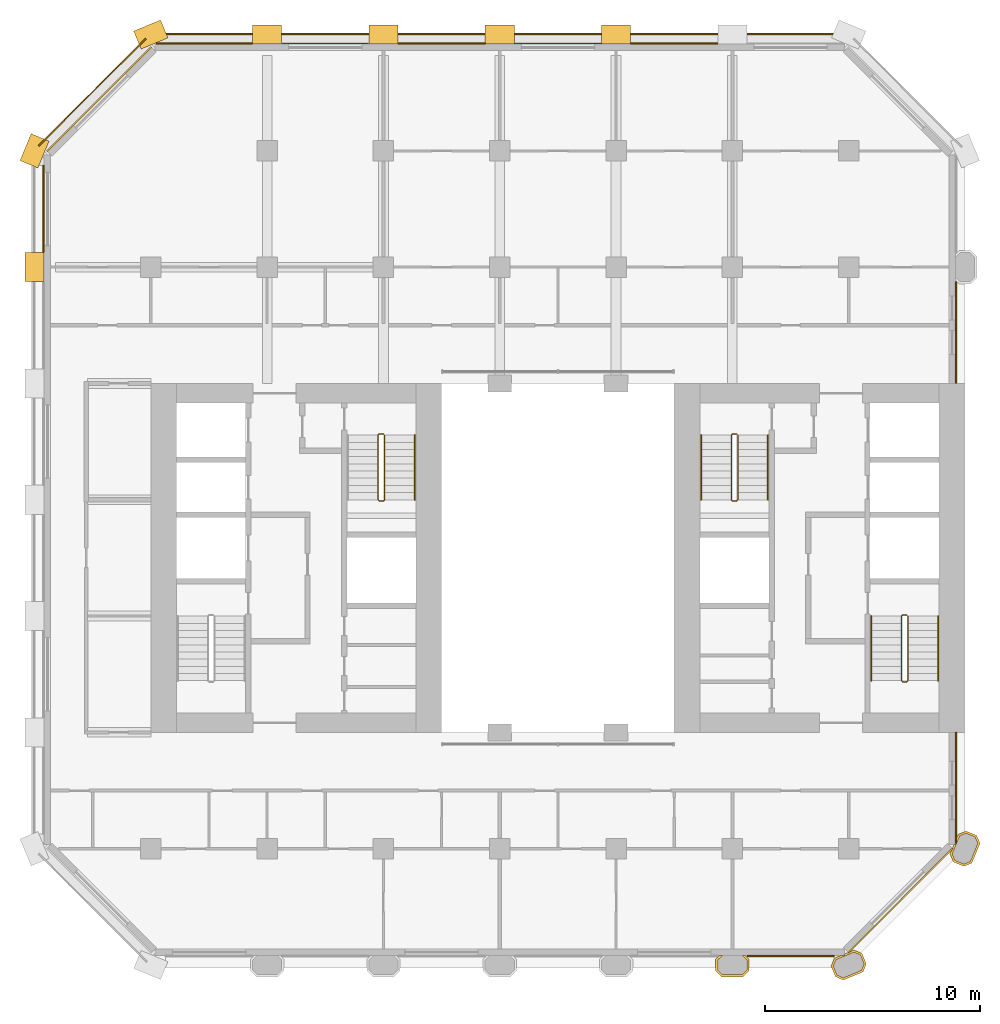
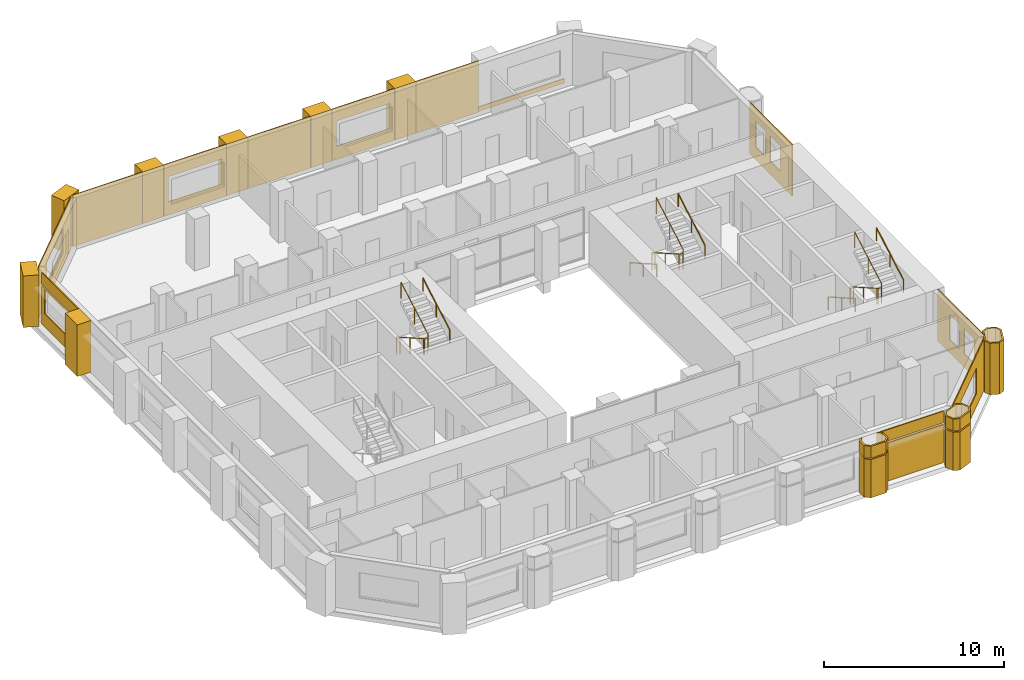
# One storey, part 12 of 13: 27 coverings, 8 railings.
"""IFC4 building model written with IfcOpenShell, lengths in metres."""

from ifc_helpers import new_model, si_unit, direction, frame, frame_2d, origin, origin_2d, place, context, subcontext, project, spatial, polyline, rectangle, circle, outline, extrude, material, layer, layer_set, type_object, element, save


model = new_model("IFC4")

# Units and contexts
model_context = context("Model", 3, precision=1e-05, world=origin(), true_north=direction((0.0, 1.0)))
body_context = subcontext(model_context, "Body", "Model", "MODEL_VIEW")
ifc_project = project(units=[si_unit("LENGTHUNIT", "METRE"), si_unit("AREAUNIT", "SQUARE_METRE"), si_unit("VOLUMEUNIT", "CUBIC_METRE"), si_unit("PLANEANGLEUNIT", "RADIAN"), si_unit("MASSUNIT", "GRAM", prefix="KILO")], contexts=[model_context])

# Site, building, storey
site_placement = place(None, origin())
site = spatial("IfcSite", under=ifc_project, at=site_placement, CompositionType="ELEMENT")
building_placement = place(site_placement, origin())
building = spatial("IfcBuilding", under=site, at=building_placement, Name="Tabaq Tower and Sports Hall", CompositionType="ELEMENT")
storey_placement = place(building_placement, frame((0.0, 0.0, 118.199951171875)))
storey = spatial("IfcBuildingStorey", under=building, at=storey_placement, Name="L28", CompositionType="ELEMENT", Elevation=118.199951171875)

# Coverings
ifc_material_1 = material(Name="Precast concrete C60/75", Category="concrete")
ifc_layer_1 = layer(ifc_material_1, 0.10009765625)
ifc_layer_set_1 = layer_set([ifc_layer_1], Name="Column cladding 100")
covering_type_1 = type_object("IfcCoveringType", Name="Column cladding 100", PredefinedType="CLADDING", material=ifc_layer_set_1)
covering_1_placement = place(storey_placement, origin())
element("IfcCovering", 1, at=covering_1_placement, inside=storey, type_object=covering_type_1, Name="Column cladding L28 PC-7B-O3", PredefinedType="CLADDING", context=body_context, shape_type="SweptSolid", body=[
    extrude(outline(polyline([(31.625244140625, 5.666259765625), (31.80859375, 5.849609375), (31.94921875, 5.849609375), (31.724609375, 5.625244140625), (31.724609375, 5.1748046875), (31.949951171875, 4.94970703125), (32.85009765625, 4.94970703125), (33.0751953125, 5.1748046875), (33.0751953125, 5.625244140625), (32.850830078125, 5.849609375), (32.9912109375, 5.849609375), (33.1748046875, 5.666259765625), (33.1748046875, 5.1337890625), (32.891357421875, 4.850341796875), (31.90869140625, 4.850341796875), (31.625244140625, 5.1337890625), (31.625244140625, 5.666259765625)])), origin(), (0.0, 0.0, 1.0), 2.60009765625),
])
covering_2_placement = place(storey_placement, frame((0.0, 0.0, 2.699951171875)))
element("IfcCovering", 2, at=covering_2_placement, inside=storey, type_object=covering_type_1, Name="Column cladding L28 PC-7B-O3 2", PredefinedType="CLADDING", context=body_context, shape_type="SweptSolid", body=[
    extrude(outline(polyline([(31.625244140625, 5.666259765625), (31.80859375, 5.849609375), (31.94921875, 5.849609375), (31.724609375, 5.625244140625), (31.724609375, 5.1748046875), (31.949951171875, 4.94970703125), (32.85009765625, 4.94970703125), (33.0751953125, 5.1748046875), (33.0751953125, 5.625244140625), (32.850830078125, 5.849609375), (32.9912109375, 5.849609375), (33.1748046875, 5.666259765625), (33.1748046875, 5.1337890625), (32.891357421875, 4.850341796875), (31.90869140625, 4.850341796875), (31.625244140625, 5.1337890625), (31.625244140625, 5.666259765625)])), origin(), (0.0, 0.0, 1.0), 0.800048828125),
])
covering_3_placement = place(storey_placement, origin())
element("IfcCovering", 3, at=covering_3_placement, inside=storey, type_object=covering_type_1, Name="Column cladding L28 PC-8B-O3", PredefinedType="CLADDING", context=body_context, shape_type="SweptSolid", body=[
    extrude(outline(polyline([(36.982421875, 5.349609375), (37.1357421875, 5.7197265625), (37.44921875, 5.849609375), (37.614013671875, 5.849609375), (37.614013671875, 5.91796875), (37.767578125, 5.9814453125), (37.799072265625, 5.9501953125), (37.875, 6.026123046875), (38.04345703125, 6.095947265625), (38.413818359375, 5.9423828125), (38.61767578125, 5.450439453125), (38.46435546875, 5.080078125), (37.556396484375, 4.7041015625), (37.186279296875, 4.857421875), (36.982421875, 5.349609375)]), holes=[polyline([(38.510009765625, 5.450439453125), (38.337646484375, 5.866455078125), (38.04345703125, 5.98828125), (37.2119140625, 5.643798828125), (37.08984375, 5.349609375), (37.26220703125, 4.93359375), (37.556396484375, 4.811767578125), (38.38818359375, 5.15625), (38.510009765625, 5.450439453125)])]), origin(), (0.0, 0.0, 1.0), 2.60009765625),
])
covering_4_placement = place(storey_placement, frame((0.0, 0.0, 2.699951171875)))
element("IfcCovering", 4, at=covering_4_placement, inside=storey, type_object=covering_type_1, Name="Column cladding L28 PC-8B-O3 2", PredefinedType="CLADDING", context=body_context, shape_type="SweptSolid", body=[
    extrude(outline(polyline([(36.982421875, 5.349609375), (37.1357421875, 5.7197265625), (37.44921875, 5.849609375), (37.614013671875, 5.849609375), (37.614013671875, 5.91796875), (37.767578125, 5.9814453125), (37.799072265625, 5.9501953125), (37.875, 6.026123046875), (38.04345703125, 6.095947265625), (38.413818359375, 5.9423828125), (38.61767578125, 5.450439453125), (38.46435546875, 5.080078125), (37.556396484375, 4.7041015625), (37.186279296875, 4.857421875), (36.982421875, 5.349609375)]), holes=[polyline([(38.510009765625, 5.450439453125), (38.337646484375, 5.866455078125), (38.04345703125, 5.98828125), (37.2119140625, 5.643798828125), (37.08984375, 5.349609375), (37.26220703125, 4.93359375), (37.556396484375, 4.811767578125), (38.38818359375, 5.15625), (38.510009765625, 5.450439453125)])]), origin(), (0.0, 0.0, 1.0), 0.800048828125),
])
covering_5_placement = place(storey_placement, origin())
element("IfcCovering", 5, at=covering_5_placement, inside=storey, type_object=covering_type_1, Name="Column cladding L28 PC-9C-O3", PredefinedType="CLADDING", context=body_context, shape_type="SweptSolid", body=[
    extrude(outline(polyline([(42.657470703125, 10.186279296875), (42.504150390625, 10.556396484375), (42.573974609375, 10.72509765625), (42.64990234375, 10.801025390625), (42.618408203125, 10.83251953125), (42.68212890625, 10.986083984375), (42.750244140625, 10.986083984375), (42.750244140625, 11.04296875), (42.810302734375, 11.04296875), (42.810302734375, 11.295654296875), (42.880126953125, 11.46435546875), (43.25048828125, 11.61767578125), (43.742431640625, 11.413818359375), (43.895751953125, 11.04345703125), (43.519775390625, 10.1357421875), (43.149658203125, 9.982421875), (42.657470703125, 10.186279296875)]), holes=[polyline([(43.66650390625, 11.337646484375), (43.25048828125, 11.510009765625), (42.956298828125, 11.38818359375), (42.61181640625, 10.556396484375), (42.733642578125, 10.26220703125), (43.149658203125, 10.08984375), (43.44384765625, 10.2119140625), (43.788330078125, 11.04345703125), (43.66650390625, 11.337646484375)])]), origin(), (0.0, 0.0, 1.0), 3.5),
])
ifc_material_2 = material(Name="Precast concrete C60/75", Category="concrete")
ifc_layer_2 = layer(ifc_material_2, 0.06005859375)
ifc_layer_set_2 = layer_set([ifc_layer_2], Name="Edge beam cladding 60")
covering_type_2 = type_object("IfcCoveringType", Name="Edge beam cladding 60", PredefinedType="CLADDING", material=ifc_layer_set_2)
covering_6_placement = place(storey_placement, frame((37.50146484375, 48.6298828125, -0.300048828125), z_axis=(0.0, 0.0, 1.0), x_axis=(-1.0, 0.0, 0.0)))
element("IfcCovering", 6, at=covering_6_placement, inside=storey, type_object=covering_type_2, Name="Edge beam cladding L28 2", PredefinedType="CLADDING", context=body_context, shape_type="SweptSolid", body=[
    extrude(rectangle(XDim=31.802978515625, YDim=0.06005859375, at=frame_2d((15.9013671875, 0.0))), origin(), (0.0, 0.0, 1.0), 0.300048828125),
])
covering_7_placement = place(storey_placement, frame((5.167724609375, 48.41015625, -0.300048828125), z_axis=(0.0, 0.0, 1.0), x_axis=(-0.707106781187, -0.707106781187, 0.0)))
element("IfcCovering", 7, at=covering_7_placement, inside=storey, type_object=covering_type_2, Name="Edge beam cladding L28 3", PredefinedType="CLADDING", context=body_context, shape_type="SweptSolid", body=[
    extrude(rectangle(XDim=7.03955078125, YDim=0.06005859375, at=frame_2d((3.519775390625, 0.0))), origin(), (0.0, 0.0, 1.0), 0.300048828125),
])
ifc_material_3 = material(Name="White precast concrete C60/75", Category="concrete")
covering_type_3 = type_object("IfcCoveringType", Name="Pier cladding hung 1350x900", PredefinedType="CLADDING", material=ifc_material_3)
for number, where, z_axis, x_axis, name in (
    (8, (0.0, 38.47509765625, 0.0), (0.0, 0.0, 1.0), (0.0, -1.0, 0.0), "Hung pier cladding 0/7"),
    (9, (0.25830078125, 43.82373046875, 0.0), (0.0, 0.0, 1.0), (-0.382649923473, -0.923893411637, 0.0), "Hung pier cladding 0/8"),
    (10, (6.023681640625, 48.8583984375, 0.0), (0.0, 0.0, 1.0), (-0.923893411637, -0.382649923473, 0.0), "Hung pier cladding 1/9"),
    (11, (11.47509765625, 48.60009765625, 0.0), (0.0, 0.0, 1.0), (-1.0, 0.0, 0.0), "Hung pier cladding 2/9"),
    (12, (16.875, 48.60009765625, 0.0), (0.0, 0.0, 1.0), (-1.0, 0.0, 0.0), "Hung pier cladding 3/9"),
):
    element("IfcCovering", number, at=place(storey_placement, frame(where, z_axis=z_axis, x_axis=x_axis)), inside=storey, type_object=covering_type_3, Name=name, PredefinedType="CLADDING", context=body_context, shape_type="SweptSolid", body=[
        extrude(rectangle(XDim=1.35009765625, YDim=0.89990234375, at=frame_2d((0.675048828125, 0.0))), origin(), (0.0, 0.0, 1.0), 3.5),
    ])
covering_8_placement = place(storey_placement, frame((22.27490234375, 48.60009765625, 0.0), z_axis=(0.0, 0.0, 1.0), x_axis=(-1.0, 0.0, 0.0)))
element("IfcCovering", 13, at=covering_8_placement, inside=storey, type_object=covering_type_3, Name="Hung pier cladding 4/9", PredefinedType="CLADDING", context=body_context, shape_type="SweptSolid", body=[
    extrude(rectangle(XDim=1.349853515625, YDim=0.89990234375, at=frame_2d((0.6748046875, 0.0))), origin(), (0.0, 0.0, 1.0), 3.5),
])
covering_9_placement = place(storey_placement, frame((27.675048828125, 48.60009765625, 0.0), z_axis=(0.0, 0.0, 1.0), x_axis=(-1.0, 0.0, 0.0)))
element("IfcCovering", 14, at=covering_9_placement, inside=storey, type_object=covering_type_3, Name="Hung pier cladding 5/9", PredefinedType="CLADDING", context=body_context, shape_type="SweptSolid", body=[
    extrude(rectangle(XDim=1.35009765625, YDim=0.89990234375, at=frame_2d((0.675048828125, 0.0))), origin(), (0.0, 0.0, 1.0), 3.5),
])

# Railings
ifc_material_4 = material(Name="Stainless steel", Category="steel")
railing_type_1 = type_object("IfcRailingType", Name="Stair guard", PredefinedType="GUARDRAIL", material=ifc_material_4)
railing_1_placement = place(storey_placement, frame((16.199951171875, 30.050048828125, 0.0)))
element("IfcRailing", 15, at=railing_1_placement, inside=storey, type_object=railing_type_1, Name="L28 ST2 stair guard 1", PredefinedType="GUARDRAIL", context=body_context, shape_type="SweptSolid", body=[
    extrude(circle(Radius=0.02392578125, at=origin_2d()), frame((0.0, 0.0, 1.076171875), z_axis=(-1.0, 0.0, 0.0), x_axis=(0.0, -1.0, 0.0)), (0.0, 0.0, 1.0), 0.199951171875),
    extrude(circle(Radius=0.02392578125, at=origin_2d()), frame((-0.199951171875, 0.0, 1.076171875), z_axis=(-0.246910188598, -0.246910188598, 0.937054276727), x_axis=(0.707106781187, -0.707106781187, 0.0)), (0.0, 0.0, 1.0), 0.20263671875),
    extrude(circle(Radius=0.02392578125, at=origin_2d()), frame((-0.25, -0.050048828125, 1.26611328125), z_axis=(0.0, -0.868751719353, 0.495247867356), x_axis=(1.0, 0.0, 0.0)), (0.0, 0.0, 1.0), 3.453125),
    extrude(circle(Radius=0.02392578125, at=origin_2d()), frame((-0.25, -3.050048828125, 2.97607421875), z_axis=(0.707106781187, -0.707106781187, 0.0), x_axis=(0.707106781187, 0.707106781187, 0.0)), (0.0, 0.0, 1.0), 0.07080078125),
    extrude(circle(Radius=0.02392578125, at=origin_2d()), frame((-0.199951171875, -3.10009765625, 2.97607421875), z_axis=(1.0, 0.0, 0.0), x_axis=(0.0, 1.0, 0.0)), (0.0, 0.0, 1.0), 0.199951171875),
    extrude(circle(Radius=0.02392578125, at=origin_2d()), frame((0.0, -3.10009765625, 2.97607421875), z_axis=(0.246910188598, 0.246910188598, 0.937054276727), x_axis=(-0.707106781187, 0.707106781187, 0.0)), (0.0, 0.0, 1.0), 0.20263671875),
    extrude(circle(Radius=0.02392578125, at=origin_2d()), frame((0.050048828125, -3.050048828125, 3.166015625), z_axis=(0.0, 0.868782136927, 0.495194505781), x_axis=(-1.0, 0.0, 0.0)), (0.0, 0.0, 1.0), 3.453125),
    extrude(circle(Radius=0.02099609375, at=origin_2d()), origin(), (0.0, 0.0, 1.0), 1.052001953125),
    extrude(circle(Radius=0.02099609375, at=origin_2d()), frame((-0.199951171875, 0.0, 0.0)), (0.0, 0.0, 1.0), 1.052001953125),
    extrude(circle(Radius=0.02099609375, at=origin_2d()), frame((-0.25, -0.050048828125, 0.18994140625)), (0.0, 0.0, 1.0), 1.052001953125),
    extrude(circle(Radius=0.02099609375, at=origin_2d()), frame((-0.25, -1.550048828125, 1.044921875)), (0.0, 0.0, 1.0), 1.052001953125),
    extrude(circle(Radius=0.02099609375, at=origin_2d()), frame((-0.25, -3.050048828125, 1.900146484375)), (0.0, 0.0, 1.0), 1.052001953125),
    extrude(circle(Radius=0.02099609375, at=origin_2d()), frame((-0.199951171875, -3.10009765625, 1.900146484375)), (0.0, 0.0, 1.0), 1.052001953125),
    extrude(circle(Radius=0.02099609375, at=origin_2d()), frame((0.0, -3.10009765625, 1.900146484375)), (0.0, 0.0, 1.0), 1.052001953125),
    extrude(circle(Radius=0.02099609375, at=origin_2d()), frame((0.050048828125, -3.050048828125, 2.090087890625)), (0.0, 0.0, 1.0), 1.052001953125),
    extrude(circle(Radius=0.02099609375, at=origin_2d()), frame((0.050048828125, -1.550048828125, 2.945068359375)), (0.0, 0.0, 1.0), 1.052001953125),
    extrude(circle(Radius=0.02099609375, at=origin_2d()), frame((0.050048828125, -0.050048828125, 3.800048828125)), (0.0, 0.0, 1.0), 1.052001953125),
])
railing_2_placement = place(storey_placement, frame((40.5, 21.64990234375, 0.0)))
element("IfcRailing", 16, at=railing_2_placement, inside=storey, type_object=railing_type_1, Name="L28 ST3 stair guard 1", PredefinedType="GUARDRAIL", context=body_context, shape_type="SweptSolid", body=[
    extrude(circle(Radius=0.02392578125, at=origin_2d()), frame((0.0, 0.0, 1.076171875), z_axis=(-1.0, 0.0, 0.0), x_axis=(0.0, -1.0, 0.0)), (0.0, 0.0, 1.0), 0.199951171875),
    extrude(circle(Radius=0.02392578125, at=origin_2d()), frame((-0.199951171875, 0.0, 1.076171875), z_axis=(-0.246983470365, -0.245778672949, 0.937332389972), x_axis=(0.705375805398, -0.708833529934, 0.0)), (0.0, 0.0, 1.0), 0.20263671875),
    extrude(circle(Radius=0.02392578125, at=origin_2d()), frame((-0.25, -0.0498046875, 1.26611328125), z_axis=(0.0, -0.868751719353, 0.495247867356), x_axis=(1.0, 0.0, 0.0)), (0.0, 0.0, 1.0), 3.453125),
    extrude(circle(Radius=0.02392578125, at=origin_2d()), frame((-0.25, -3.0498046875, 2.97607421875), z_axis=(0.707106781187, -0.707106781187, 0.0), x_axis=(0.707106781187, 0.707106781187, 0.0)), (0.0, 0.0, 1.0), 0.07080078125),
    extrude(circle(Radius=0.02392578125, at=origin_2d()), frame((-0.199951171875, -3.099853515625, 2.97607421875), z_axis=(1.0, 0.0, 0.0), x_axis=(0.0, 1.0, 0.0)), (0.0, 0.0, 1.0), 0.199951171875),
    extrude(circle(Radius=0.02392578125, at=origin_2d()), frame((0.0, -3.099853515625, 2.97607421875), z_axis=(0.246910188598, 0.246910188598, 0.937054276727), x_axis=(-0.707106781187, 0.707106781187, 0.0)), (0.0, 0.0, 1.0), 0.20263671875),
    extrude(circle(Radius=0.02392578125, at=origin_2d()), frame((0.050048828125, -3.0498046875, 3.166015625), z_axis=(0.0, 0.868782136927, 0.495194505781), x_axis=(-1.0, 0.0, 0.0)), (0.0, 0.0, 1.0), 3.453125),
    extrude(circle(Radius=0.02099609375, at=origin_2d()), origin(), (0.0, 0.0, 1.0), 1.052001953125),
    extrude(circle(Radius=0.02099609375, at=origin_2d()), frame((-0.199951171875, 0.0, 0.0)), (0.0, 0.0, 1.0), 1.052001953125),
    extrude(circle(Radius=0.02099609375, at=origin_2d()), frame((-0.25, -0.0498046875, 0.18994140625)), (0.0, 0.0, 1.0), 1.052001953125),
    extrude(circle(Radius=0.02099609375, at=origin_2d()), frame((-0.25, -1.5498046875, 1.044921875)), (0.0, 0.0, 1.0), 1.052001953125),
    extrude(circle(Radius=0.02099609375, at=origin_2d()), frame((-0.25, -3.0498046875, 1.900146484375)), (0.0, 0.0, 1.0), 1.052001953125),
    extrude(circle(Radius=0.02099609375, at=origin_2d()), frame((-0.199951171875, -3.099853515625, 1.900146484375)), (0.0, 0.0, 1.0), 1.052001953125),
    extrude(circle(Radius=0.02099609375, at=origin_2d()), frame((0.0, -3.099853515625, 1.900146484375)), (0.0, 0.0, 1.0), 1.052001953125),
    extrude(circle(Radius=0.02099609375, at=origin_2d()), frame((0.050048828125, -3.0498046875, 2.090087890625)), (0.0, 0.0, 1.0), 1.052001953125),
    extrude(circle(Radius=0.02099609375, at=origin_2d()), frame((0.050048828125, -1.5498046875, 2.945068359375)), (0.0, 0.0, 1.0), 1.052001953125),
    extrude(circle(Radius=0.02099609375, at=origin_2d()), frame((0.050048828125, -0.0498046875, 3.800048828125)), (0.0, 0.0, 1.0), 1.052001953125),
])
railing_3_placement = place(storey_placement, frame((32.60009765625, 30.050048828125, 0.0)))
element("IfcRailing", 17, at=railing_3_placement, inside=storey, type_object=railing_type_1, Name="L28 ST4 stair guard 1", PredefinedType="GUARDRAIL", context=body_context, shape_type="SweptSolid", body=[
    extrude(circle(Radius=0.02392578125, at=origin_2d()), frame((0.0, 0.0, 1.076171875), z_axis=(-1.0, 0.0, 0.0), x_axis=(0.0, -1.0, 0.0)), (0.0, 0.0, 1.0), 0.2001953125),
    extrude(circle(Radius=0.02392578125, at=origin_2d()), frame((-0.2001953125, 0.0, 1.076171875), z_axis=(-0.245778672949, -0.246983470365, 0.937332389972), x_axis=(0.708833529934, -0.705375805398, 0.0)), (0.0, 0.0, 1.0), 0.20263671875),
    extrude(circle(Radius=0.02392578125, at=origin_2d()), frame((-0.25, -0.050048828125, 1.26611328125), z_axis=(0.0, -0.868751719353, 0.495247867356), x_axis=(1.0, 0.0, 0.0)), (0.0, 0.0, 1.0), 3.453125),
    extrude(circle(Radius=0.02392578125, at=origin_2d()), frame((-0.25, -3.050048828125, 2.97607421875), z_axis=(0.705375805398, -0.708833529934, 0.0), x_axis=(0.708833529934, 0.705375805398, 0.0)), (0.0, 0.0, 1.0), 0.070556640625),
    extrude(circle(Radius=0.02392578125, at=origin_2d()), frame((-0.2001953125, -3.10009765625, 2.97607421875), z_axis=(1.0, 0.0, 0.0), x_axis=(0.0, 1.0, 0.0)), (0.0, 0.0, 1.0), 0.2001953125),
    extrude(circle(Radius=0.02392578125, at=origin_2d()), frame((0.0, -3.10009765625, 2.97607421875), z_axis=(0.245778672949, 0.246983470365, 0.937332389972), x_axis=(-0.708833529934, 0.705375805398, 0.0)), (0.0, 0.0, 1.0), 0.20263671875),
    extrude(circle(Radius=0.02392578125, at=origin_2d()), frame((0.0498046875, -3.050048828125, 3.166015625), z_axis=(0.0, 0.868782136927, 0.495194505781), x_axis=(-1.0, 0.0, 0.0)), (0.0, 0.0, 1.0), 3.453125),
    extrude(circle(Radius=0.02099609375, at=origin_2d()), origin(), (0.0, 0.0, 1.0), 1.052001953125),
    extrude(circle(Radius=0.02099609375, at=origin_2d()), frame((-0.2001953125, 0.0, 0.0)), (0.0, 0.0, 1.0), 1.052001953125),
    extrude(circle(Radius=0.02099609375, at=origin_2d()), frame((-0.25, -0.050048828125, 0.18994140625)), (0.0, 0.0, 1.0), 1.052001953125),
    extrude(circle(Radius=0.02099609375, at=origin_2d()), frame((-0.25, -1.550048828125, 1.044921875)), (0.0, 0.0, 1.0), 1.052001953125),
    extrude(circle(Radius=0.02099609375, at=origin_2d()), frame((-0.25, -3.050048828125, 1.900146484375)), (0.0, 0.0, 1.0), 1.052001953125),
    extrude(circle(Radius=0.02099609375, at=origin_2d()), frame((-0.2001953125, -3.10009765625, 1.900146484375)), (0.0, 0.0, 1.0), 1.052001953125),
    extrude(circle(Radius=0.02099609375, at=origin_2d()), frame((0.0, -3.10009765625, 1.900146484375)), (0.0, 0.0, 1.0), 1.052001953125),
    extrude(circle(Radius=0.02099609375, at=origin_2d()), frame((0.0498046875, -3.050048828125, 2.090087890625)), (0.0, 0.0, 1.0), 1.052001953125),
    extrude(circle(Radius=0.02099609375, at=origin_2d()), frame((0.0498046875, -1.550048828125, 2.945068359375)), (0.0, 0.0, 1.0), 1.052001953125),
    extrude(circle(Radius=0.02099609375, at=origin_2d()), frame((0.0498046875, -0.050048828125, 3.800048828125)), (0.0, 0.0, 1.0), 1.052001953125),
])
ifc_material_5 = material(Name="Stainless steel", Category="steel")
railing_type_2 = type_object("IfcRailingType", Name="Stair handrail", PredefinedType="HANDRAIL", material=ifc_material_5)
railing_4_placement = place(storey_placement, frame((17.64990234375, 27.0, 2.090087890625)))
element("IfcRailing", 18, at=railing_4_placement, inside=storey, type_object=railing_type_2, Name="L28 ST2 stair handrail 2", PredefinedType="HANDRAIL", context=body_context, shape_type="SweptSolid", body=[
    extrude(circle(Radius=0.02392578125, at=origin_2d()), frame((0.0, 0.0, 0.8759765625), z_axis=(0.0, 0.868782136927, 0.495194505781), x_axis=(-1.0, 0.0, 0.0)), (0.0, 0.0, 1.0), 3.453125),
    extrude(circle(Radius=0.02099609375, at=origin_2d()), origin(), (0.0, 0.0, 1.0), 0.851806640625),
    extrude(circle(Radius=0.02099609375, at=origin_2d()), frame((0.0, 1.5, 0.85498046875)), (0.0, 0.0, 1.0), 0.851806640625),
    extrude(circle(Radius=0.02099609375, at=origin_2d()), frame((0.0, 3.0, 1.7099609375)), (0.0, 0.0, 1.0), 0.851806640625),
])
railing_5_placement = place(storey_placement, frame((38.85009765625, 21.60009765625, 0.18994140625)))
element("IfcRailing", 19, at=railing_5_placement, inside=storey, type_object=railing_type_2, Name="L28 ST3 stair handrail 1", PredefinedType="HANDRAIL", context=body_context, shape_type="SweptSolid", body=[
    extrude(circle(Radius=0.02392578125, at=origin_2d()), frame((0.0, 0.0, 0.8759765625), z_axis=(0.0, -0.868751719353, 0.495247867356), x_axis=(1.0, 0.0, 0.0)), (0.0, 0.0, 1.0), 3.453125),
    extrude(circle(Radius=0.02099609375, at=origin_2d()), origin(), (0.0, 0.0, 1.0), 0.851806640625),
    extrude(circle(Radius=0.02099609375, at=origin_2d()), frame((0.0, -1.5, 0.85498046875)), (0.0, 0.0, 1.0), 0.851806640625),
    extrude(circle(Radius=0.02099609375, at=origin_2d()), frame((0.0, -3.0, 1.710205078125)), (0.0, 0.0, 1.0), 0.851806640625),
])
railing_6_placement = place(storey_placement, frame((41.949951171875, 18.60009765625, 2.090087890625)))
element("IfcRailing", 20, at=railing_6_placement, inside=storey, type_object=railing_type_2, Name="L28 ST3 stair handrail 2", PredefinedType="HANDRAIL", context=body_context, shape_type="SweptSolid", body=[
    extrude(circle(Radius=0.02392578125, at=origin_2d()), frame((0.0, 0.0, 0.8759765625), z_axis=(0.0, 0.868782136927, 0.495194505781), x_axis=(-1.0, 0.0, 0.0)), (0.0, 0.0, 1.0), 3.453125),
    extrude(circle(Radius=0.02099609375, at=origin_2d()), origin(), (0.0, 0.0, 1.0), 0.851806640625),
    extrude(circle(Radius=0.02099609375, at=origin_2d()), frame((0.0, 1.5, 0.85498046875)), (0.0, 0.0, 1.0), 0.851806640625),
    extrude(circle(Radius=0.02099609375, at=origin_2d()), frame((0.0, 3.0, 1.7099609375)), (0.0, 0.0, 1.0), 0.851806640625),
])
railing_7_placement = place(storey_placement, frame((30.949951171875, 30.0, 0.18994140625)))
element("IfcRailing", 21, at=railing_7_placement, inside=storey, type_object=railing_type_2, Name="L28 ST4 stair handrail 1", PredefinedType="HANDRAIL", context=body_context, shape_type="SweptSolid", body=[
    extrude(circle(Radius=0.02392578125, at=origin_2d()), frame((0.0, 0.0, 0.8759765625), z_axis=(0.0, -0.868751719353, 0.495247867356), x_axis=(1.0, 0.0, 0.0)), (0.0, 0.0, 1.0), 3.453125),
    extrude(circle(Radius=0.02099609375, at=origin_2d()), origin(), (0.0, 0.0, 1.0), 0.851806640625),
    extrude(circle(Radius=0.02099609375, at=origin_2d()), frame((0.0, -1.5, 0.85498046875)), (0.0, 0.0, 1.0), 0.851806640625),
    extrude(circle(Radius=0.02099609375, at=origin_2d()), frame((0.0, -3.0, 1.710205078125)), (0.0, 0.0, 1.0), 0.851806640625),
])
railing_8_placement = place(storey_placement, frame((34.050048828125, 27.0, 2.090087890625)))
element("IfcRailing", 22, at=railing_8_placement, inside=storey, type_object=railing_type_2, Name="L28 ST4 stair handrail 2", PredefinedType="HANDRAIL", context=body_context, shape_type="SweptSolid", body=[
    extrude(circle(Radius=0.02392578125, at=origin_2d()), frame((0.0, 0.0, 0.8759765625), z_axis=(0.0, 0.868782136927, 0.495194505781), x_axis=(-1.0, 0.0, 0.0)), (0.0, 0.0, 1.0), 3.453125),
    extrude(circle(Radius=0.02099609375, at=origin_2d()), origin(), (0.0, 0.0, 1.0), 0.851806640625),
    extrude(circle(Radius=0.02099609375, at=origin_2d()), frame((0.0, 1.5, 0.85498046875)), (0.0, 0.0, 1.0), 0.851806640625),
    extrude(circle(Radius=0.02099609375, at=origin_2d()), frame((0.0, 3.0, 1.7099609375)), (0.0, 0.0, 1.0), 0.851806640625),
])

# Coverings
ifc_material_6 = material(Name="Precast concrete C60/75", Category="concrete")
ifc_layer_3 = layer(ifc_material_6, 0.06005859375)
ifc_layer_set_3 = layer_set([ifc_layer_3], Name="White precast cladding panel 60 C60/75")
covering_type_4 = type_object("IfcCoveringType", Name="White precast cladding panel 60 C60/75", PredefinedType="CLADDING", material=ifc_layer_set_3)
covering_10_placement = place(storey_placement, frame((33.0849609375, 5.820068359375, 0.0), z_axis=(0.0, 0.0, 1.0), x_axis=(1.0, 0.0, 0.0)))
element("IfcCovering", 23, at=covering_10_placement, inside=storey, type_object=covering_type_4, Name="White precast cladding panel L28 wall00 11", PredefinedType="CLADDING", context=body_context, shape_type="SweptSolid", body=[
    extrude(rectangle(XDim=4.050048828125, YDim=0.06005859375, at=frame_2d((2.02490234375, 0.0))), origin(), (0.0, 0.0, 1.0), 2.590087890625),
])
covering_11_placement = place(storey_placement, frame((33.0849609375, 5.820068359375, 2.7099609375), z_axis=(0.0, 0.0, 1.0), x_axis=(1.0, 0.0, 0.0)))
element("IfcCovering", 24, at=covering_11_placement, inside=storey, type_object=covering_type_4, Name="White precast cladding panel L28 wall00 12", PredefinedType="CLADDING", context=body_context, shape_type="SweptSolid", body=[
    extrude(rectangle(XDim=4.050048828125, YDim=0.06005859375, at=frame_2d((2.02490234375, 0.0))), origin(), (0.0, 0.0, 1.0), 0.7900390625),
])
covering_12_placement = place(storey_placement, frame((37.77783203125, 5.9716796875, 0.0), z_axis=(0.0, 0.0, 1.0), x_axis=(0.707088985397, 0.707124576528, 0.0)))
element("IfcCovering", 25, at=covering_12_placement, inside=storey, type_object=covering_type_4, Name="White precast cladding panel L28 wall01", PredefinedType="CLADDING", context=body_context, shape_type="SweptSolid", body=[
    extrude(outline(polyline([(0.0, 0.0), (6.859619140625, 0.0), (6.859619140625, 3.5), (0.0, 3.5), (0.0, 0.0)]), holes=[polyline([(1.7197265625, 0.89013671875), (1.7197265625, 2.610107421875), (5.139892578125, 2.610107421875), (5.139892578125, 0.89013671875), (1.7197265625, 0.89013671875)])]), frame((0.0, 0.030029296875, 0.0), z_axis=(0.0, -1.0, 0.0), x_axis=(1.0, 0.0, 0.0)), (0.0, 0.0, 1.0), 0.06005859375),
])
covering_13_placement = place(storey_placement, frame((42.780029296875, 11.043212890625, 0.0), z_axis=(0.0, 0.0, 1.0), x_axis=(0.0, 1.0, 0.0)))
element("IfcCovering", 26, at=covering_13_placement, inside=storey, type_object=covering_type_4, Name="White precast cladding panel L28 wall02", PredefinedType="CLADDING", context=body_context, shape_type="SweptSolid", body=[
    extrude(outline(polyline([(0.0, 0.0), (5.15673828125, 0.0), (5.15673828125, 3.5), (0.0, 3.5), (0.0, 0.0)]), holes=[polyline([(1.096923828125, 2.610107421875), (2.216796875, 2.610107421875), (2.216796875, 0.89013671875), (1.096923828125, 0.89013671875), (1.096923828125, 2.610107421875)]), polyline([(2.69677734375, 2.610107421875), (3.81689453125, 2.610107421875), (3.81689453125, 0.89013671875), (2.69677734375, 0.89013671875), (2.69677734375, 2.610107421875)])]), frame((0.0, 0.030029296875, 0.0), z_axis=(0.0, -1.0, 0.0), x_axis=(1.0, 0.0, 0.0)), (0.0, 0.0, 1.0), 0.06005859375),
])
covering_14_placement = place(storey_placement, frame((42.780029296875, 32.39990234375, 0.0), z_axis=(0.0, 0.0, 1.0), x_axis=(0.0, 1.0, 0.0)))
element("IfcCovering", 27, at=covering_14_placement, inside=storey, type_object=covering_type_4, Name="White precast cladding panel L28 wall02-1", PredefinedType="CLADDING", context=body_context, shape_type="SweptSolid", body=[
    extrude(outline(polyline([(0.0, 0.0), (4.715087890625, 0.0), (4.715087890625, 3.5), (0.0, 3.5), (0.0, 0.0)]), holes=[polyline([(1.340087890625, 2.610107421875), (2.4599609375, 2.610107421875), (2.4599609375, 0.89013671875), (1.340087890625, 0.89013671875), (1.340087890625, 2.610107421875)]), polyline([(2.93994140625, 2.610107421875), (4.06005859375, 2.610107421875), (4.06005859375, 0.89013671875), (2.93994140625, 0.89013671875), (2.93994140625, 2.610107421875)])]), frame((0.0, 0.030029296875, 0.0), z_axis=(0.0, -1.0, 0.0), x_axis=(1.0, 0.0, 0.0)), (0.0, 0.0, 1.0), 0.06005859375),
])
covering_15_placement = place(storey_placement, frame((31.715087890625, 48.179931640625, 0.0), z_axis=(0.0, 0.0, 1.0), x_axis=(-1.0, 0.0, 0.0)))
element("IfcCovering", 28, at=covering_15_placement, inside=storey, type_object=covering_type_4, Name="White precast cladding panel L28 wall04 2", PredefinedType="CLADDING", context=body_context, shape_type="SweptSolid", body=[
    extrude(rectangle(XDim=4.030029296875, YDim=0.06005859375, at=frame_2d((2.01513671875, 0.0))), origin(), (0.0, 0.0, 1.0), 3.5),
])
covering_16_placement = place(storey_placement, frame((26.31494140625, 48.179931640625, 0.0), z_axis=(0.0, 0.0, 1.0), x_axis=(-1.0, 0.0, 0.0)))
element("IfcCovering", 29, at=covering_16_placement, inside=storey, type_object=covering_type_4, Name="White precast cladding panel L28 wall04 3", PredefinedType="CLADDING", context=body_context, shape_type="SweptSolid", body=[
    extrude(outline(polyline([(0.0, 0.0), (4.030029296875, 0.0), (4.030029296875, 3.5), (0.0, 3.5), (0.0, 0.0)]), holes=[polyline([(0.304931640625, 0.89013671875), (0.304931640625, 2.610107421875), (3.72509765625, 2.610107421875), (3.72509765625, 0.89013671875), (0.304931640625, 0.89013671875)])]), frame((0.0, 0.030029296875, 0.0), z_axis=(0.0, -1.0, 0.0), x_axis=(1.0, 0.0, 0.0)), (0.0, 0.0, 1.0), 0.06005859375),
])
covering_17_placement = place(storey_placement, frame((20.9150390625, 48.179931640625, 0.0), z_axis=(0.0, 0.0, 1.0), x_axis=(-1.0, 0.0, 0.0)))
element("IfcCovering", 30, at=covering_17_placement, inside=storey, type_object=covering_type_4, Name="White precast cladding panel L28 wall04 4", PredefinedType="CLADDING", context=body_context, shape_type="SweptSolid", body=[
    extrude(rectangle(XDim=4.030029296875, YDim=0.06005859375, at=frame_2d((2.01513671875, 0.0))), origin(), (0.0, 0.0, 1.0), 3.5),
])
covering_18_placement = place(storey_placement, frame((15.514892578125, 48.179931640625, 0.0), z_axis=(0.0, 0.0, 1.0), x_axis=(-1.0, 0.0, 0.0)))
element("IfcCovering", 31, at=covering_18_placement, inside=storey, type_object=covering_type_4, Name="White precast cladding panel L28 wall04 5", PredefinedType="CLADDING", context=body_context, shape_type="SweptSolid", body=[
    extrude(outline(polyline([(0.0, 0.0), (4.02978515625, 0.0), (4.02978515625, 3.5), (0.0, 3.5), (0.0, 0.0)]), holes=[polyline([(0.304931640625, 0.89013671875), (0.304931640625, 2.610107421875), (3.72509765625, 2.610107421875), (3.72509765625, 0.89013671875), (0.304931640625, 0.89013671875)])]), frame((0.0, 0.030029296875, 0.0), z_axis=(0.0, -1.0, 0.0), x_axis=(1.0, 0.0, 0.0)), (0.0, 0.0, 1.0), 0.06005859375),
])
covering_19_placement = place(storey_placement, frame((10.114990234375, 48.179931640625, 0.0), z_axis=(0.0, 0.0, 1.0), x_axis=(-1.0, 0.0, 0.0)))
element("IfcCovering", 32, at=covering_19_placement, inside=storey, type_object=covering_type_4, Name="White precast cladding panel L28 wall04 6", PredefinedType="CLADDING", context=body_context, shape_type="SweptSolid", body=[
    extrude(rectangle(XDim=4.471923828125, YDim=0.06005859375, at=frame_2d((2.23583984375, 0.0))), origin(), (0.0, 0.0, 1.0), 3.5),
])
covering_20_placement = place(storey_placement, frame((5.42236328125, 48.0283203125, 0.0), z_axis=(0.0, 0.0, 1.0), x_axis=(-0.707106781187, -0.707106781187, 0.0)))
element("IfcCovering", 33, at=covering_20_placement, inside=storey, type_object=covering_type_4, Name="White precast cladding panel L28 wall05", PredefinedType="CLADDING", context=body_context, shape_type="SweptSolid", body=[
    extrude(outline(polyline([(0.0, 0.0), (6.85986328125, 0.0), (6.85986328125, 3.5), (0.0, 3.5), (0.0, 0.0)]), holes=[polyline([(1.7197265625, 0.89013671875), (1.7197265625, 2.610107421875), (5.139892578125, 2.610107421875), (5.139892578125, 0.89013671875), (1.7197265625, 0.89013671875)])]), frame((0.0, 0.030029296875, 0.0), z_axis=(0.0, -1.0, 0.0), x_axis=(1.0, 0.0, 0.0)), (0.0, 0.0, 1.0), 0.06005859375),
])
covering_21_placement = place(storey_placement, frame((0.419921875, 42.534912109375, 0.0), z_axis=(0.0, 0.0, 1.0), x_axis=(0.0, -1.0, 0.0)))
element("IfcCovering", 34, at=covering_21_placement, inside=storey, type_object=covering_type_4, Name="White precast cladding panel L28 wall06", PredefinedType="CLADDING", context=body_context, shape_type="SweptSolid", body=[
    extrude(outline(polyline([(0.0, 0.0), (4.0498046875, 0.0), (4.0498046875, 2.590087890625), (0.0, 2.590087890625), (0.0, 0.0)]), holes=[polyline([(3.7451171875, 0.89013671875), (0.324951171875, 0.89013671875), (0.324951171875, 2.56005859375), (3.7451171875, 2.56005859375), (3.7451171875, 0.89013671875)])]), frame((0.0, 0.030029296875, 0.0), z_axis=(0.0, -1.0, 0.0), x_axis=(1.0, 0.0, 0.0)), (0.0, 0.0, 1.0), 0.06005859375),
])
covering_22_placement = place(storey_placement, frame((0.419921875, 42.534912109375, 2.7099609375), z_axis=(0.0, 0.0, 1.0), x_axis=(0.0, -1.0, 0.0)))
element("IfcCovering", 35, at=covering_22_placement, inside=storey, type_object=covering_type_4, Name="White precast cladding panel L28 wall06 2", PredefinedType="CLADDING", context=body_context, shape_type="SweptSolid", body=[
    extrude(rectangle(XDim=4.0498046875, YDim=0.06005859375, at=frame_2d((2.02490234375, 0.0))), origin(), (0.0, 0.0, 1.0), 0.7900390625),
])

save(model, "model.ifc")
